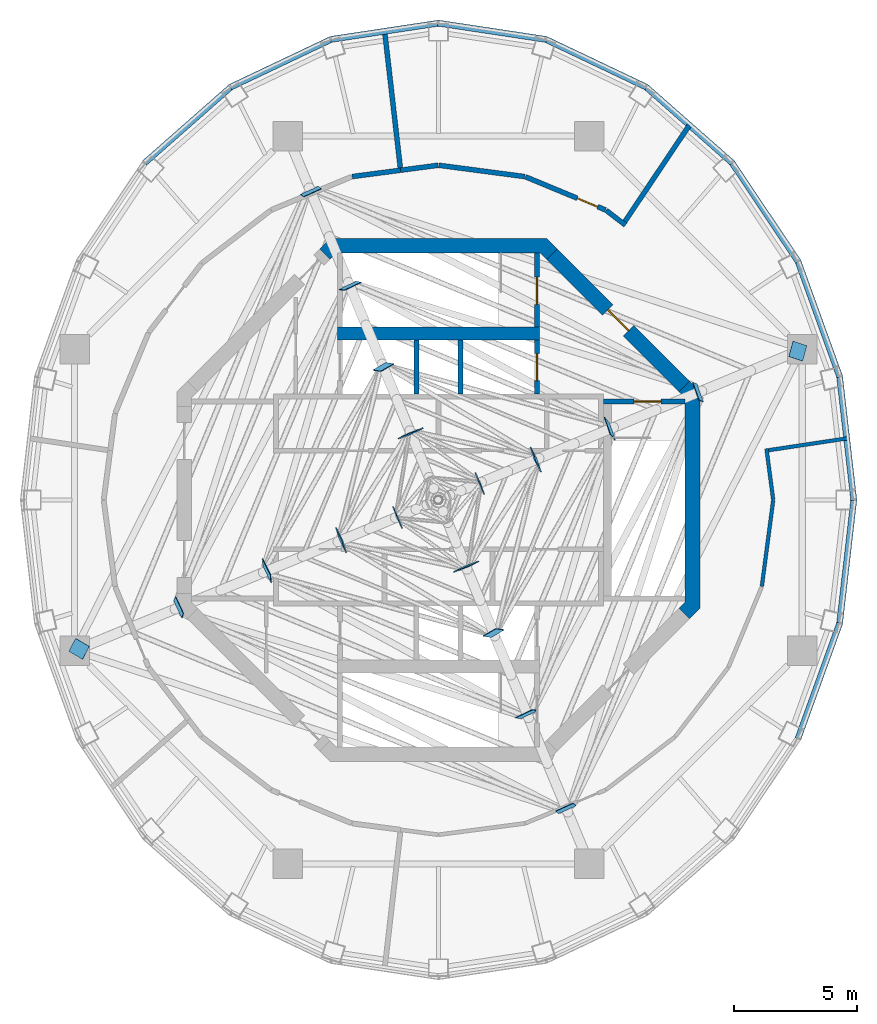
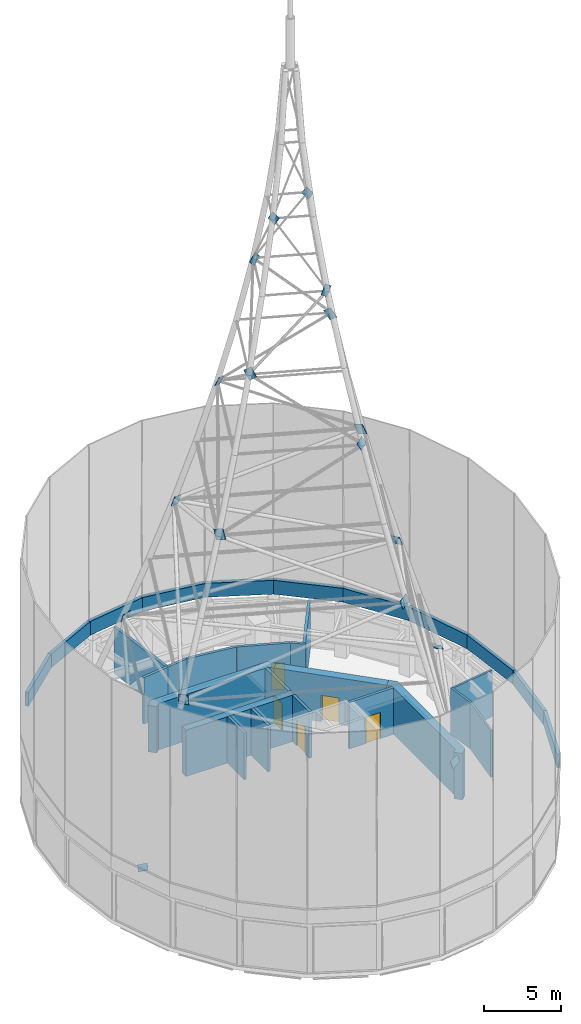
# One storey, part 23 of 25: 30 walls, 18 discrete accessories, 5 doors, 5 openings.
"""IFC4 building model written with IfcOpenShell, lengths in metres."""

from ifc_helpers import new_model, si_unit, direction, frame, frame_2d, origin, origin_2d, place, context, subcontext, project, spatial, polyline, rectangle, outline, extrude, material, layer, layer_set, type_object, element, fill, save


model = new_model("IFC4")

# Units and contexts
model_context = context("Model", 3, precision=1e-05, world=origin(), true_north=direction((0.0, 1.0)))
body_context = subcontext(model_context, "Body", "Model", "MODEL_VIEW")
ifc_project = project(units=[si_unit("LENGTHUNIT", "METRE"), si_unit("AREAUNIT", "SQUARE_METRE"), si_unit("VOLUMEUNIT", "CUBIC_METRE"), si_unit("PLANEANGLEUNIT", "RADIAN"), si_unit("MASSUNIT", "GRAM", prefix="KILO")], contexts=[model_context])

# Site, building, storey
site_placement = place(None, origin())
site = spatial("IfcSite", under=ifc_project, at=site_placement, CompositionType="ELEMENT")
building_placement = place(site_placement, origin())
building = spatial("IfcBuilding", under=site, at=building_placement, Name="Nagisa Residences", CompositionType="ELEMENT")
storey_placement = place(building_placement, frame((0.0, 0.0, 340.89990234375)))
storey = spatial("IfcBuildingStorey", under=building, at=storey_placement, Name="L84", CompositionType="ELEMENT", Elevation=340.89990234375)

# Wall, opening, door
ifc_material_1 = material(Name="Concrete C60", Category="concrete")
ifc_layer_1 = layer(ifc_material_1, 0.60009765625)
ifc_layer_set_1 = layer_set([ifc_layer_1], Name="Core shear wall 600")
wall_type_1 = type_object("IfcWallType", Name="Core shear wall 600", PredefinedType="SHEAR", material=ifc_layer_set_1)
wall_1_placement = place(storey_placement, frame((9.98828125, 4.613037109375, 0.0), z_axis=(0.0, 0.0, 1.0), x_axis=(-0.707106781187, 0.707106781187, 0.0)))
wall_1 = element("IfcWall", 1, at=wall_1_placement, inside=storey, type_object=wall_type_1, Name="wall:L84:core:flat1", PredefinedType="SHEAR", context=body_context, shape_type="SweptSolid", body=[
    extrude(rectangle(XDim=7.601806640625, YDim=0.60009765625, at=frame_2d((3.80078125, 0.0))), origin(), (0.0, 0.0, 1.0), 3.7001953125),
])
opening_1_placement = place(wall_1_placement, frame((3.200927734375, 0.0, 0.0)))
opening_1 = element("IfcOpeningElement", 2, at=opening_1_placement, cuts=wall_1, Name="Opening L84-C16", PredefinedType="OPENING", context=body_context, shape_type="SweptSolid", body=[
    extrude(rectangle(XDim=1.199951171875, YDim=2.10009765625, at=frame_2d((0.60009765625, 1.050048828125))), frame((0.0, 0.31005859375, 0.0), z_axis=(0.0, -1.0, 0.0), x_axis=(1.0, 0.0, 0.0)), (0.0, 0.0, 1.0), 0.6201171875),
])
ifc_material_2 = material(Name="Steel fire door", Category="steel")
door_type_1 = type_object("IfcDoorType", Name="Fire door EI60 1200x2100 single swing", OperationType="NOTDEFINED", PredefinedType="DOOR", material=ifc_material_2)
door_1_placement = place(opening_1_placement, origin())
door_1 = element("IfcDoor", 3, at=door_1_placement, inside=storey, type_object=door_type_1, Name="Firefighting lobby 1 door L84", OperationType="SINGLE_SWING_LEFT", OverallHeight=2.10009765625, OverallWidth=1.199951171875, PredefinedType="DOOR", context=body_context, shape_type="SweptSolid", body=[
    extrude(rectangle(XDim=1.199951171875, YDim=2.10009765625, at=frame_2d((0.60009765625, 1.050048828125))), frame((0.0, 0.02490234375, 0.0), z_axis=(0.0, -1.0, 0.0), x_axis=(1.0, 0.0, 0.0)), (0.0, 0.0, 1.0), 0.050048828125),
])
fill(opening_1, door_1)

# Walls
wall_2_placement = place(storey_placement, origin())
element("IfcWall", 4, at=wall_2_placement, inside=storey, type_object=wall_type_1, Name="wall:L84:core:flat2", PredefinedType="SHEAR", context=body_context, shape_type="SweptSolid", body=[
    extrude(outline(polyline([(-4.15234375, 10.024658203125), (-4.40087890625, 9.776123046875), (-4.8251953125, 10.200439453125), (-4.40087890625, 10.62451171875), (4.40087890625, 10.62451171875), (4.8251953125, 10.200439453125), (4.40087890625, 9.776123046875), (4.15234375, 10.024658203125), (-4.15234375, 10.024658203125)])), origin(), (0.0, 0.0, 1.0), 3.7001953125),
])
wall_3_placement = place(storey_placement, origin())
element("IfcWall", 5, at=wall_3_placement, inside=storey, type_object=wall_type_1, Name="wall:L84:core:flat0", PredefinedType="SHEAR", context=body_context, shape_type="SweptSolid", body=[
    extrude(outline(polyline([(9.776123046875, -4.40087890625), (10.024658203125, -4.15234375), (10.024658203125, -3.801025390625), (10.024658203125, 4.15234375), (9.776123046875, 4.40087890625), (10.200439453125, 4.8251953125), (10.62451171875, 4.40087890625), (10.62451171875, -4.40087890625), (10.200439453125, -4.8251953125), (9.776123046875, -4.40087890625)])), origin(), (0.0, 0.0, 1.0), 3.7001953125),
])

# Wall, opening, door
ifc_material_3 = material(Name="Concrete C60", Category="concrete")
ifc_layer_2 = layer(ifc_material_3, 0.199951171875)
ifc_layer_set_2 = layer_set([ifc_layer_2], Name="Lift shaft wall 200")
wall_type_2 = type_object("IfcWallType", Name="Lift shaft wall 200", PredefinedType="SOLIDWALL", material=ifc_layer_set_2)
wall_4_placement = place(storey_placement, frame((4.0, 4.300048828125, 0.0), z_axis=(0.0, 0.0, 1.0), x_axis=(0.0, 1.0, 0.0)))
wall_4 = element("IfcWall", 6, at=wall_4_placement, inside=storey, type_object=wall_type_2, Name="wall:L84:Nb3", PredefinedType="SOLIDWALL", context=body_context, shape_type="SweptSolid", body=[
    extrude(rectangle(XDim=2.199951171875, YDim=0.199951171875, at=frame_2d((1.10009765625, 0.0))), origin(), (0.0, 0.0, 1.0), 3.7001953125),
])
opening_2_placement = place(wall_4_placement, frame((0.550048828125, 0.0, 0.0)))
opening_2 = element("IfcOpeningElement", 7, at=opening_2_placement, cuts=wall_4, Name="Opening L84-C01", PredefinedType="OPENING", context=body_context, shape_type="SweptSolid", body=[
    extrude(rectangle(XDim=1.10009765625, YDim=2.10009765625, at=frame_2d((0.550048828125, 1.050048828125))), frame((0.0, 0.10986328125, 0.0), z_axis=(0.0, -1.0, 0.0), x_axis=(1.0, 0.0, 0.0)), (0.0, 0.0, 1.0), 0.219970703125),
])
ifc_material_4 = material(Name="Stainless steel", Category="steel")
door_type_2 = type_object("IfcDoorType", Name="Lift landing door 1100x2100", OperationType="DOUBLE_DOOR_SLIDING", PredefinedType="DOOR", material=ifc_material_4)
door_2_placement = place(opening_2_placement, origin())
door_2 = element("IfcDoor", 8, at=door_2_placement, inside=storey, type_object=door_type_2, Name="Landing door FL1 L84", OperationType="DOUBLE_DOOR_SLIDING", OverallHeight=2.10009765625, OverallWidth=1.10009765625, PredefinedType="DOOR", context=body_context, shape_type="SweptSolid", body=[
    extrude(rectangle(XDim=1.10009765625, YDim=2.10009765625, at=frame_2d((0.550048828125, 1.050048828125))), frame((0.0, 0.02490234375, 0.0), z_axis=(0.0, -1.0, 0.0), x_axis=(1.0, 0.0, 0.0)), (0.0, 0.0, 1.0), 0.050048828125),
])
fill(opening_2, door_2)

# Walls
for number, where, z_axis, x_axis, name in (
    (9, (-0.89990234375, 4.300048828125, 0.0), (0.0, 0.0, 1.0), (0.0, 1.0, 0.0), "wall:L84:Nb1"),
    (10, (0.89990234375, 4.300048828125, 0.0), (0.0, 0.0, 1.0), (0.0, 1.0, 0.0), "wall:L84:Nb2"),
):
    element("IfcWall", number, at=place(storey_placement, frame(where, z_axis=z_axis, x_axis=x_axis)), inside=storey, type_object=wall_type_2, Name=name, PredefinedType="SOLIDWALL", context=body_context, shape_type="SweptSolid", body=[
        extrude(rectangle(XDim=2.199951171875, YDim=0.199951171875, at=frame_2d((1.10009765625, 0.0))), origin(), (0.0, 0.0, 1.0), 3.7001953125),
    ])
ifc_material_5 = material(Name="Precast concrete C40/50", Category="concrete")
ifc_layer_3 = layer(ifc_material_5, 0.25)
ifc_layer_set_3 = layer_set([ifc_layer_3], Name="PARAPET 250")
wall_type_3 = type_object("IfcWallType", Name="PARAPET 250", PredefinedType="PARAPET", material=ifc_layer_set_3)
wall_5_placement = place(storey_placement, frame((16.875732421875, -0.01416015625, 4.0), z_axis=(0.0, 0.0, 1.0), x_axis=(-0.113996578441, 0.993481142299, 0.0)))
element("IfcWall", 11, at=wall_5_placement, inside=storey, type_object=wall_type_3, Name="parapet:L84:00", PredefinedType="PARAPET", context=body_context, shape_type="SweptSolid", body=[
    extrude(rectangle(XDim=5.080078125, YDim=0.25, at=frame_2d((2.5400390625, 0.0))), origin(), (0.0, 0.0, 1.0), 1.10009765625),
])
wall_6_placement = place(storey_placement, frame((16.30322265625, 5.00439453125, 4.0), z_axis=(0.0, 0.0, 1.0), x_axis=(-0.339625267064, 0.940560831617, 0.0)))
element("IfcWall", 12, at=wall_6_placement, inside=storey, type_object=wall_type_3, Name="parapet:L84:01", PredefinedType="PARAPET", context=body_context, shape_type="SweptSolid", body=[
    extrude(rectangle(XDim=5.000244140625, YDim=0.25, at=frame_2d((2.5, 0.0))), origin(), (0.0, 0.0, 1.0), 1.10009765625),
])
wall_7_placement = place(storey_placement, frame((14.61865234375, 9.680419921875, 4.0), z_axis=(0.0, 0.0, 1.0), x_axis=(-0.55602135043, 0.831168008207, 0.0)))
element("IfcWall", 13, at=wall_7_placement, inside=storey, type_object=wall_type_3, Name="parapet:L84:02", PredefinedType="PARAPET", context=body_context, shape_type="SweptSolid", body=[
    extrude(rectangle(XDim=4.85888671875, YDim=0.25, at=frame_2d((2.429443359375, 0.0))), origin(), (0.0, 0.0, 1.0), 1.10009765625),
])
wall_8_placement = place(storey_placement, frame((11.938232421875, 13.69482421875, 4.0), z_axis=(0.0, 0.0, 1.0), x_axis=(-0.750648459448, 0.660701816502, 0.0)))
element("IfcWall", 14, at=wall_8_placement, inside=storey, type_object=wall_type_3, Name="parapet:L84:03", PredefinedType="PARAPET", context=body_context, shape_type="SweptSolid", body=[
    extrude(rectangle(XDim=4.690185546875, YDim=0.25, at=frame_2d((2.34521484375, 0.0))), origin(), (0.0, 0.0, 1.0), 1.10009765625),
])
wall_9_placement = place(storey_placement, frame((8.4462890625, 16.774658203125, 4.0), z_axis=(0.0, 0.0, 1.0), x_axis=(-0.903238939001, 0.429137995373, 0.0)))
element("IfcWall", 15, at=wall_9_placement, inside=storey, type_object=wall_type_3, Name="parapet:L84:04", PredefinedType="PARAPET", context=body_context, shape_type="SweptSolid", body=[
    extrude(rectangle(XDim=4.539306640625, YDim=0.25, at=frame_2d((2.26953125, 0.0))), origin(), (0.0, 0.0, 1.0), 1.10009765625),
])
for number, where, z_axis, x_axis, name in (
    (16, (4.38134765625, 18.7119140625, 4.0), (0.0, 0.0, 1.0), (-0.988785332706, 0.149343784021, 0.0), "parapet:L84:05"),
    (17, (0.0185546875, 19.37646484375, 4.0), (0.0, 0.0, 1.0), (-0.988785332706, -0.149343784021, 0.0), "parapet:L84:06"),
):
    element("IfcWall", number, at=place(storey_placement, frame(where, z_axis=z_axis, x_axis=x_axis)), inside=storey, type_object=wall_type_3, Name=name, PredefinedType="PARAPET", context=body_context, shape_type="SweptSolid", body=[
        extrude(rectangle(XDim=4.44970703125, YDim=0.25, at=frame_2d((2.224853515625, 0.0))), origin(), (0.0, 0.0, 1.0), 1.10009765625),
    ])
wall_10_placement = place(storey_placement, frame((-4.34619140625, 18.72265625, 4.0), z_axis=(0.0, 0.0, 1.0), x_axis=(-0.903238939001, -0.429137995373, 0.0)))
element("IfcWall", 18, at=wall_10_placement, inside=storey, type_object=wall_type_3, Name="parapet:L84:07", PredefinedType="PARAPET", context=body_context, shape_type="SweptSolid", body=[
    extrude(rectangle(XDim=4.539306640625, YDim=0.25, at=frame_2d((2.26953125, 0.0))), origin(), (0.0, 0.0, 1.0), 1.10009765625),
])
wall_11_placement = place(storey_placement, frame((-8.41748046875, 16.793701171875, 4.0), z_axis=(0.0, 0.0, 1.0), x_axis=(-0.750648459448, -0.660701816502, 0.0)))
element("IfcWall", 19, at=wall_11_placement, inside=storey, type_object=wall_type_3, Name="parapet:L84:08", PredefinedType="PARAPET", context=body_context, shape_type="SweptSolid", body=[
    extrude(rectangle(XDim=4.690185546875, YDim=0.25, at=frame_2d((2.34521484375, 0.0))), origin(), (0.0, 0.0, 1.0), 1.10009765625),
])
wall_12_placement = place(storey_placement, frame((14.60498046875, -9.70751953125, 4.0), z_axis=(0.0, 0.0, 1.0), x_axis=(0.339625267064, 0.940560831617, 0.0)))
element("IfcWall", 20, at=wall_12_placement, inside=storey, type_object=wall_type_3, Name="parapet:L84:22", PredefinedType="PARAPET", context=body_context, shape_type="SweptSolid", body=[
    extrude(rectangle(XDim=5.000244140625, YDim=0.25, at=frame_2d((2.5, 0.0))), origin(), (0.0, 0.0, 1.0), 1.10009765625),
])
wall_13_placement = place(storey_placement, frame((16.296630859375, -5.03271484375, 4.0), z_axis=(0.0, 0.0, 1.0), x_axis=(0.113996578441, 0.993481142299, 0.0)))
element("IfcWall", 21, at=wall_13_placement, inside=storey, type_object=wall_type_3, Name="parapet:L84:23", PredefinedType="PARAPET", context=body_context, shape_type="SweptSolid", body=[
    extrude(rectangle(XDim=5.080078125, YDim=0.25, at=frame_2d((2.5400390625, 0.0))), origin(), (0.0, 0.0, 1.0), 1.10009765625),
])
ifc_material_6 = material(Name="Gypsum board on steel studs", Category="steel")
ifc_layer_4 = layer(ifc_material_6, 0.199951171875)
ifc_layer_set_4 = layer_set([ifc_layer_4], Name="Plant room wall EI120 200")
wall_type_4 = type_object("IfcWallType", Name="Plant room wall EI120 200", PredefinedType="PARTITIONING", material=ifc_layer_set_4)
wall_14_placement = place(storey_placement, frame((-3.5048828125, 13.138671875, 0.0), z_axis=(0.0, 0.0, 1.0), x_axis=(0.991454295543, 0.130454512571, 0.0)))
element("IfcWall", 22, at=wall_14_placement, inside=storey, type_object=wall_type_4, Name="wall:L84:am023", PredefinedType="PARTITIONING", context=body_context, shape_type="SweptSolid", body=[
    extrude(rectangle(XDim=1.983642578125, YDim=0.199951171875, at=frame_2d((0.99169921875, 0.0))), origin(), (0.0, 0.0, 1.0), 3.7001953125),
])
wall_15_placement = place(storey_placement, frame((-1.549560546875, 13.496826171875, 0.0), z_axis=(0.0, 0.0, 1.0), x_axis=(-0.114057329834, 0.993474169524, 0.0)))
element("IfcWall", 23, at=wall_15_placement, inside=storey, type_object=wall_type_4, Name="wall:L84:am026", PredefinedType="PARTITIONING", context=body_context, shape_type="SweptSolid", body=[
    extrude(rectangle(XDim=5.608154296875, YDim=0.199951171875, at=frame_2d((2.80419921875, 0.0))), origin(), (0.0, 0.0, 1.0), 3.7001953125),
])
wall_16_placement = place(storey_placement, frame((-1.5380859375, 13.3974609375, 0.0), z_axis=(0.0, 0.0, 1.0), x_axis=(0.991449967232, 0.13048740351, 0.0)))
element("IfcWall", 24, at=wall_16_placement, inside=storey, type_object=wall_type_4, Name="wall:L84:am027", PredefinedType="PARTITIONING", context=body_context, shape_type="SweptSolid", body=[
    extrude(rectangle(XDim=1.5361328125, YDim=0.199951171875, at=frame_2d((0.76806640625, 0.0))), origin(), (0.0, 0.0, 1.0), 3.7001953125),
])
wall_17_placement = place(storey_placement, frame((0.01513671875, 13.597900390625, 0.0), z_axis=(0.0, 0.0, 1.0), x_axis=(0.991452406768, -0.130468866457, 0.0)))
element("IfcWall", 25, at=wall_17_placement, inside=storey, type_object=wall_type_4, Name="wall:L84:am028", PredefinedType="PARTITIONING", context=body_context, shape_type="SweptSolid", body=[
    extrude(rectangle(XDim=3.519775390625, YDim=0.199951171875, at=frame_2d((1.759765625, 0.0))), origin(), (0.0, 0.0, 1.0), 3.7001953125),
])

# Wall, opening, door
wall_18_placement = place(storey_placement, frame((3.533935546875, 13.130859375, 0.0), z_axis=(0.0, 0.0, 1.0), x_axis=(0.92386297064, -0.382723413813, 0.0)))
wall_18 = element("IfcWall", 26, at=wall_18_placement, inside=storey, type_object=wall_type_4, Name="wall:L84:am029", PredefinedType="PARTITIONING", context=body_context, shape_type="SweptSolid", body=[
    extrude(rectangle(XDim=3.52001953125, YDim=0.199951171875, at=frame_2d((1.760009765625, 0.0))), origin(), (0.0, 0.0, 1.0), 3.7001953125),
])
opening_3_placement = place(wall_18_placement, frame((2.277587890625, 0.0, 0.0)))
opening_3 = element("IfcOpeningElement", 27, at=opening_3_placement, cuts=wall_18, Name="Opening L84-A01", PredefinedType="OPENING", context=body_context, shape_type="SweptSolid", body=[
    extrude(rectangle(XDim=0.89990234375, YDim=2.10009765625, at=frame_2d((0.449951171875, 1.050048828125))), frame((0.0, 0.10986328125, 0.0), z_axis=(0.0, -1.0, 0.0), x_axis=(1.0, 0.0, 0.0)), (0.0, 0.0, 1.0), 0.219970703125),
])
ifc_material_7 = material(Name="Steel fire door", Category="steel")
door_type_3 = type_object("IfcDoorType", Name="Fire door EI120 900x2100 single swing", OperationType="NOTDEFINED", PredefinedType="DOOR", material=ifc_material_7)
door_3_placement = place(opening_3_placement, origin())
door_3 = element("IfcDoor", 28, at=door_3_placement, inside=storey, type_object=door_type_3, Name="Exhaust fan plant room door", OperationType="SINGLE_SWING_LEFT", OverallHeight=2.10009765625, OverallWidth=0.89990234375, PredefinedType="DOOR", context=body_context, shape_type="SweptSolid", body=[
    extrude(rectangle(XDim=0.89990234375, YDim=2.10009765625, at=frame_2d((0.449951171875, 1.050048828125))), frame((0.0, 0.02490234375, 0.0), z_axis=(0.0, -1.0, 0.0), x_axis=(1.0, 0.0, 0.0)), (0.0, 0.0, 1.0), 0.050048828125),
])
fill(opening_3, door_3)

# Walls
wall_19_placement = place(storey_placement, frame((6.81201171875, 11.7685546875, 0.0), z_axis=(0.0, 0.0, 1.0), x_axis=(0.793431391307, -0.608659697441, 0.0)))
element("IfcWall", 29, at=wall_19_placement, inside=storey, type_object=wall_type_4, Name="wall:L84:am030", PredefinedType="PARTITIONING", context=body_context, shape_type="SweptSolid", body=[
    extrude(rectangle(XDim=0.98828125, YDim=0.199951171875, at=frame_2d((0.494140625, 0.0))), origin(), (0.0, 0.0, 1.0), 3.7001953125),
])
wall_20_placement = place(storey_placement, frame((7.572265625, 11.311279296875, 0.0), z_axis=(0.0, 0.0, 1.0), x_axis=(0.55629198168, 0.830986901893, 0.0)))
element("IfcWall", 30, at=wall_20_placement, inside=storey, type_object=wall_type_4, Name="wall:L84:am031", PredefinedType="PARTITIONING", context=body_context, shape_type="SweptSolid", body=[
    extrude(rectangle(XDim=4.73974609375, YDim=0.199951171875, at=frame_2d((2.369873046875, 0.0))), origin(), (0.0, 0.0, 1.0), 3.7001953125),
])
ifc_material_8 = material(Name="Gypsum board on steel studs", Category="steel")
ifc_layer_5 = layer(ifc_material_8, 0.14990234375)
ifc_layer_set_5 = layer_set([ifc_layer_5], Name="Room partition EI60 150")
wall_type_5 = type_object("IfcWallType", Name="Room partition EI60 150", PredefinedType="PARTITIONING", material=ifc_layer_set_5)
wall_21_placement = place(storey_placement, frame((13.325439453125, 2.0849609375, 0.0), z_axis=(0.0, 0.0, 1.0), x_axis=(0.130526994458, -0.991444755757, 0.0)))
element("IfcWall", 31, at=wall_21_placement, inside=storey, type_object=wall_type_5, Name="wall:L84:am006", PredefinedType="PARTITIONING", context=body_context, shape_type="SweptSolid", body=[
    extrude(rectangle(XDim=2.091064453125, YDim=0.14990234375, at=frame_2d((1.04541015625, 0.0))), origin(), (0.0, 0.0, 1.0), 3.7001953125),
])
wall_22_placement = place(storey_placement, frame((13.598388671875, -0.01171875, 0.0), z_axis=(0.0, 0.0, 1.0), x_axis=(-0.130499283623, -0.991448403586, 0.0)))
element("IfcWall", 32, at=wall_22_placement, inside=storey, type_object=wall_type_5, Name="wall:L84:am007", PredefinedType="PARTITIONING", context=body_context, shape_type="SweptSolid", body=[
    extrude(rectangle(XDim=3.526611328125, YDim=0.14990234375, at=frame_2d((1.76318359375, 0.0))), origin(), (0.0, 0.0, 1.0), 3.7001953125),
])
wall_23_placement = place(storey_placement, frame((16.61181640625, 2.504638671875, 0.0), z_axis=(0.0, 0.0, 1.0), x_axis=(-0.988820487538, -0.14911084275, 0.0)))
element("IfcWall", 33, at=wall_23_placement, inside=storey, type_object=wall_type_5, Name="wall:L84:am008", PredefinedType="PARTITIONING", context=body_context, shape_type="SweptSolid", body=[
    extrude(rectangle(XDim=3.238525390625, YDim=0.14990234375, at=frame_2d((1.619140625, 0.0))), origin(), (0.0, 0.0, 1.0), 3.7001953125),
])

# Wall, opening, door
ifc_material_9 = material(Name="Concrete C60", Category="concrete")
ifc_layer_6 = layer(ifc_material_9, 0.199951171875)
ifc_layer_set_6 = layer_set([ifc_layer_6], Name="Stair enclosure wall 200")
wall_type_6 = type_object("IfcWallType", Name="Stair enclosure wall 200", PredefinedType="SOLIDWALL", material=ifc_layer_set_6)
wall_24_placement = place(storey_placement, frame((6.699951171875, 4.0, 0.0), z_axis=(0.0, 0.0, 1.0), x_axis=(1.0, 0.0, 0.0)))
wall_24 = element("IfcWall", 34, at=wall_24_placement, inside=storey, type_object=wall_type_6, Name="wall:L84:SE_n", PredefinedType="SOLIDWALL", context=body_context, shape_type="SweptSolid", body=[
    extrude(rectangle(XDim=3.32470703125, YDim=0.199951171875, at=frame_2d((1.662353515625, 0.0))), origin(), (0.0, 0.0, 1.0), 3.7001953125),
])
opening_4_placement = place(wall_24_placement, frame((1.25, 0.0, 0.0)))
opening_4 = element("IfcOpeningElement", 35, at=opening_4_placement, cuts=wall_24, Name="Opening L84-C04", PredefinedType="OPENING", context=body_context, shape_type="SweptSolid", body=[
    extrude(rectangle(XDim=1.10009765625, YDim=2.10009765625, at=frame_2d((0.550048828125, 1.050048828125))), frame((0.0, 0.10986328125, 0.0), z_axis=(0.0, -1.0, 0.0), x_axis=(1.0, 0.0, 0.0)), (0.0, 0.0, 1.0), 0.219970703125),
])
ifc_material_10 = material(Name="Steel fire door", Category="steel")
door_type_4 = type_object("IfcDoorType", Name="Fire door EI90 1100x2100 single swing", OperationType="NOTDEFINED", PredefinedType="DOOR", material=ifc_material_10)
door_4_placement = place(opening_4_placement, frame((1.10009765625, 0.0, 0.0), x_axis=(-1.0, 0.0, 0.0)))
door_4 = element("IfcDoor", 36, at=door_4_placement, inside=storey, type_object=door_type_4, Name="Stair door ST-E L84", OperationType="SINGLE_SWING_LEFT", OverallHeight=2.10009765625, OverallWidth=1.10009765625, PredefinedType="DOOR", context=body_context, shape_type="SweptSolid", body=[
    extrude(rectangle(XDim=1.10009765625, YDim=2.10009765625, at=frame_2d((0.550048828125, 1.050048828125))), frame((0.0, 0.02490234375, 0.0), z_axis=(0.0, -1.0, 0.0), x_axis=(1.0, 0.0, 0.0)), (0.0, 0.0, 1.0), 0.050048828125),
])
fill(opening_4, door_4)

wall_25_placement = place(storey_placement, frame((4.0, 7.024658203125, 0.0), z_axis=(0.0, 0.0, 1.0), x_axis=(0.0, 1.0, 0.0)))
wall_25 = element("IfcWall", 37, at=wall_25_placement, inside=storey, type_object=wall_type_6, Name="wall:L84:SN_e", PredefinedType="SOLIDWALL", context=body_context, shape_type="SweptSolid", body=[
    extrude(rectangle(XDim=3.0, YDim=0.199951171875, at=frame_2d((1.5, 0.0))), origin(), (0.0, 0.0, 1.0), 3.7001953125),
])
opening_5_placement = place(wall_25_placement, frame((0.92529296875, 0.0, 0.0)))
opening_5 = element("IfcOpeningElement", 38, at=opening_5_placement, cuts=wall_25, Name="Opening L84-C05", PredefinedType="OPENING", context=body_context, shape_type="SweptSolid", body=[
    extrude(rectangle(XDim=1.10009765625, YDim=2.10009765625, at=frame_2d((0.550048828125, 1.050048828125))), frame((0.0, 0.10986328125, 0.0), z_axis=(0.0, -1.0, 0.0), x_axis=(1.0, 0.0, 0.0)), (0.0, 0.0, 1.0), 0.219970703125),
])
door_5_placement = place(opening_5_placement, origin())
door_5 = element("IfcDoor", 39, at=door_5_placement, inside=storey, type_object=door_type_4, Name="Stair door ST-N L84", OperationType="SINGLE_SWING_RIGHT", OverallHeight=2.10009765625, OverallWidth=1.10009765625, PredefinedType="DOOR", context=body_context, shape_type="SweptSolid", body=[
    extrude(rectangle(XDim=1.10009765625, YDim=2.10009765625, at=frame_2d((0.550048828125, 1.050048828125))), frame((0.0, 0.02490234375, 0.0), z_axis=(0.0, -1.0, 0.0), x_axis=(1.0, 0.0, 0.0)), (0.0, 0.0, 1.0), 0.050048828125),
])
fill(opening_5, door_5)

# Wall
wall_26_placement = place(storey_placement, origin())
element("IfcWall", 40, at=wall_26_placement, inside=storey, type_object=wall_type_6, Name="wall:L84:SN_s", PredefinedType="SOLIDWALL", context=body_context, shape_type="SweptSolid", body=[
    extrude(outline(polyline([(4.10009765625, 6.5), (-4.10009765625, 6.5), (-4.10009765625, 7.024658203125), (4.10009765625, 7.024658203125), (4.10009765625, 6.5)])), origin(), (0.0, 0.0, 1.0), 3.7001953125),
])

# Discrete accessories
ifc_material_11 = material(Name="Steel ASTM A572 Gr 50", Category="steel")
ifc_layer_7 = layer(ifc_material_11, 0.030029296875)
ifc_layer_set_7 = layer_set([ifc_layer_7], Name="Node plate")
discrete_accessory_type = type_object("IfcDiscreteAccessoryType", Name="Node plate", PredefinedType="ANCHORPLATE", material=ifc_layer_set_7)
discrete_accessory_1_placement = place(storey_placement, frame((14.6005859375, 6.047607421875, 4.08349609375), z_axis=(-0.301601483998, -0.122270871891, -0.945561409289), x_axis=(-0.91712891788, 0.308273676274, 0.252669524289)))
element("IfcDiscreteAccessory", 41, at=discrete_accessory_1_placement, inside=storey, type_object=discrete_accessory_type, Name="Node plate MAST-B1", PredefinedType="ANCHORPLATE", context=body_context, shape_type="SweptSolid", body=[
    extrude(rectangle(XDim=0.61083984375, YDim=0.661376953125, at=origin_2d()), origin(), (0.0, 0.0, 1.0), 0.030029296875),
])
discrete_accessory_2_placement = place(storey_placement, frame((-5.18115234375, 12.53466796875, 9.505615234375), z_axis=(0.375588427227, -0.89814623902, -0.22861904266), x_axis=(0.90177942809, 0.411077270057, -0.133451643363)))
element("IfcDiscreteAccessory", 42, at=discrete_accessory_2_placement, inside=storey, type_object=discrete_accessory_type, Name="Node plate MAST-B1", PredefinedType="ANCHORPLATE", context=body_context, shape_type="SweptSolid", body=[
    extrude(rectangle(XDim=0.7919921875, YDim=0.59423828125, at=origin_2d()), origin(), (0.0, 0.0, 1.0), 0.02978515625),
])
discrete_accessory_3_placement = place(storey_placement, frame((-14.6005859375, -6.047607421875, 4.08349609375), z_axis=(0.301601483998, 0.122270871891, -0.945561409289), x_axis=(0.443545608698, 0.859898485048, 0.252669524117)))
element("IfcDiscreteAccessory", 43, at=discrete_accessory_3_placement, inside=storey, type_object=discrete_accessory_type, Name="Node plate MAST-B1", PredefinedType="ANCHORPLATE", context=body_context, shape_type="SweptSolid", body=[
    extrude(rectangle(XDim=0.61083984375, YDim=0.661376953125, at=origin_2d()), origin(), (0.0, 0.0, 1.0), 0.030029296875),
])
discrete_accessory_4_placement = place(storey_placement, frame((5.18115234375, -12.53466796875, 9.505615234375), z_axis=(-0.375588427227, 0.89814623902, -0.22861904266), x_axis=(-0.90177942809, -0.411077270057, -0.133451643363)))
element("IfcDiscreteAccessory", 44, at=discrete_accessory_4_placement, inside=storey, type_object=discrete_accessory_type, Name="Node plate MAST-B1", PredefinedType="ANCHORPLATE", context=body_context, shape_type="SweptSolid", body=[
    extrude(rectangle(XDim=0.7919921875, YDim=0.59423828125, at=origin_2d()), origin(), (0.0, 0.0, 1.0), 0.02978515625),
])
discrete_accessory_5_placement = place(storey_placement, frame((10.52099609375, 4.375732421875, 14.996337890625), z_axis=(0.905910516146, 0.37207039056, 0.202212168783), x_axis=(-0.329342492124, 0.919201312839, -0.215876050909)))
element("IfcDiscreteAccessory", 45, at=discrete_accessory_5_placement, inside=storey, type_object=discrete_accessory_type, Name="Node plate MAST-B1", PredefinedType="ANCHORPLATE", context=body_context, shape_type="SweptSolid", body=[
    extrude(rectangle(XDim=0.78759765625, YDim=0.64599609375, at=origin_2d()), origin(), (0.0, 0.0, 1.0), 0.0302734375),
])
discrete_accessory_6_placement = place(storey_placement, frame((-10.53369140625, -4.345458984375, 14.996337890625), z_axis=(-0.904443948179, -0.374814609155, 0.203703591932), x_axis=(-0.414906386026, 0.883900241568, -0.215807909473)))
element("IfcDiscreteAccessory", 46, at=discrete_accessory_6_placement, inside=storey, type_object=discrete_accessory_type, Name="Node plate MAST-B1", PredefinedType="ANCHORPLATE", context=body_context, shape_type="SweptSolid", body=[
    extrude(rectangle(XDim=0.78759765625, YDim=0.64599609375, at=origin_2d()), origin(), (0.0, 0.0, 1.0), 0.030029296875),
])
for number, where, z_axis, x_axis, name in (
    (47, (-3.57666015625, 8.678466796875, 20.494384765625), (-0.374839496417, 0.912652686929, 0.162973694094), (0.859552301421, 0.40798750091, -0.307759711827), "Node plate MAST-B1"),
    (48, (3.57666015625, -8.678466796875, 20.494384765625), (0.374839496417, -0.912652686929, 0.162973694094), (-0.859552301421, -0.40798750091, -0.307759711827), "Node plate MAST-B1"),
):
    element("IfcDiscreteAccessory", number, at=place(storey_placement, frame(where, z_axis=z_axis, x_axis=x_axis)), inside=storey, type_object=discrete_accessory_type, Name=name, PredefinedType="ANCHORPLATE", context=body_context, shape_type="SweptSolid", body=[
        extrude(rectangle(XDim=0.7958984375, YDim=0.7021484375, at=origin_2d()), origin(), (0.0, 0.0, 1.0), 0.030029296875),
    ])
discrete_accessory_7_placement = place(storey_placement, frame((6.941650390625, 2.892578125, 25.9912109375), z_axis=(0.914537652784, 0.38038291753, 0.137585310596), x_axis=(-0.296779452401, 0.862099042726, -0.410739816873)))
element("IfcDiscreteAccessory", 49, at=discrete_accessory_7_placement, inside=storey, type_object=discrete_accessory_type, Name="Node plate MAST-B1", PredefinedType="ANCHORPLATE", context=body_context, shape_type="SweptSolid", body=[
    extrude(rectangle(XDim=0.80712890625, YDim=0.760986328125, at=origin_2d()), origin(), (0.0, 0.0, 1.0), 0.0302734375),
])
discrete_accessory_8_placement = place(storey_placement, frame((-6.953857421875, -2.863037109375, 25.9912109375), z_axis=(-0.913198586302, -0.383217263895, 0.138610499707), x_axis=(-0.405115345706, 0.816837224487, -0.410680539306)))
element("IfcDiscreteAccessory", 50, at=discrete_accessory_8_placement, inside=storey, type_object=discrete_accessory_type, Name="Node plate MAST-B1", PredefinedType="ANCHORPLATE", context=body_context, shape_type="SweptSolid", body=[
    extrude(rectangle(XDim=0.80712890625, YDim=0.760986328125, at=origin_2d()), origin(), (0.0, 0.0, 1.0), 0.030029296875),
])
for number, where, z_axis, x_axis, name in (
    (51, (-2.229248046875, 5.384033203125, 31.52880859375), (-0.366666465478, 0.888147660824, 0.277036885028), (0.793398889771, 0.454018862278, -0.405444292606), "Node plate MAST-B2"),
    (52, (2.229248046875, -5.384033203125, 31.52880859375), (0.366666465478, -0.888147660824, 0.277036885028), (-0.793398889771, -0.454018862278, -0.405444292606), "Node plate MAST-B2"),
):
    element("IfcDiscreteAccessory", number, at=place(storey_placement, frame(where, z_axis=z_axis, x_axis=x_axis)), inside=storey, type_object=discrete_accessory_type, Name=name, PredefinedType="ANCHORPLATE", context=body_context, shape_type="SweptSolid", body=[
        extrude(rectangle(XDim=0.667236328125, YDim=0.669189453125, at=origin_2d()), origin(), (0.0, 0.0, 1.0), 0.030029296875),
    ])
for number, where, z_axis, x_axis, name in (
    (53, (3.93994140625, 1.637451171875, 36.981689453125), (0.920251584717, 0.382759508688, 0.081438193338), (-0.242318785353, 0.720773992763, -0.649435491501), "Node plate MAST-B2"),
    (54, (-3.94384765625, -1.6279296875, 36.981689453125), (-0.920251584717, -0.382759508688, 0.081438193338), (-0.340310787703, 0.680016257371, -0.649435491395), "Node plate MAST-B2"),
):
    element("IfcDiscreteAccessory", number, at=place(storey_placement, frame(where, z_axis=z_axis, x_axis=x_axis)), inside=storey, type_object=discrete_accessory_type, Name=name, PredefinedType="ANCHORPLATE", context=body_context, shape_type="SweptSolid", body=[
        extrude(rectangle(XDim=0.765625, YDim=0.7734375, at=origin_2d()), origin(), (0.0, 0.0, 1.0), 0.030029296875),
    ])
for number, where, z_axis, x_axis, name in (
    (55, (-1.135009765625, 2.720703125, 42.478759765625), (0.383715023452, -0.922548886172, -0.040820747176), (0.57589027796, 0.273617157761, -0.77037915258), "Node plate MAST-B2"),
    (56, (1.135009765625, -2.720703125, 42.478759765625), (-0.383715023452, 0.922548886172, -0.040820747176), (-0.57589027796, -0.273617157761, -0.77037915258), "Node plate MAST-B2"),
):
    element("IfcDiscreteAccessory", number, at=place(storey_placement, frame(where, z_axis=z_axis, x_axis=x_axis)), inside=storey, type_object=discrete_accessory_type, Name=name, PredefinedType="ANCHORPLATE", context=body_context, shape_type="SweptSolid", body=[
        extrude(rectangle(XDim=0.793212890625, YDim=0.767822265625, at=origin_2d()), origin(), (0.0, 0.0, 1.0), 0.02978515625),
    ])
discrete_accessory_9_placement = place(storey_placement, frame((1.6630859375, 0.665771484375, 47.978271484375), z_axis=(0.924388473303, 0.381107528467, 0.016217341637), x_axis=(-0.172684261819, 0.456002866898, -0.873064448424)))
element("IfcDiscreteAccessory", 57, at=discrete_accessory_9_placement, inside=storey, type_object=discrete_accessory_type, Name="Node plate MAST-B3", PredefinedType="ANCHORPLATE", context=body_context, shape_type="SweptSolid", body=[
    extrude(rectangle(XDim=0.768310546875, YDim=0.64794921875, at=origin_2d()), origin(), (0.0, 0.0, 1.0), 0.030029296875),
])
discrete_accessory_10_placement = place(storey_placement, frame((-1.64697265625, -0.705322265625, 47.978271484375), z_axis=(-0.923195219855, -0.383983852506, 0.016339738405), x_axis=(-0.200351862913, 0.444545427469, -0.873062709056)))
element("IfcDiscreteAccessory", 58, at=discrete_accessory_10_placement, inside=storey, type_object=discrete_accessory_type, Name="Node plate MAST-B3", PredefinedType="ANCHORPLATE", context=body_context, shape_type="SweptSolid", body=[
    extrude(rectangle(XDim=0.768310546875, YDim=0.64794921875, at=origin_2d()), origin(), (0.0, 0.0, 1.0), 0.02978515625),
])

save(model, "model.ifc")
